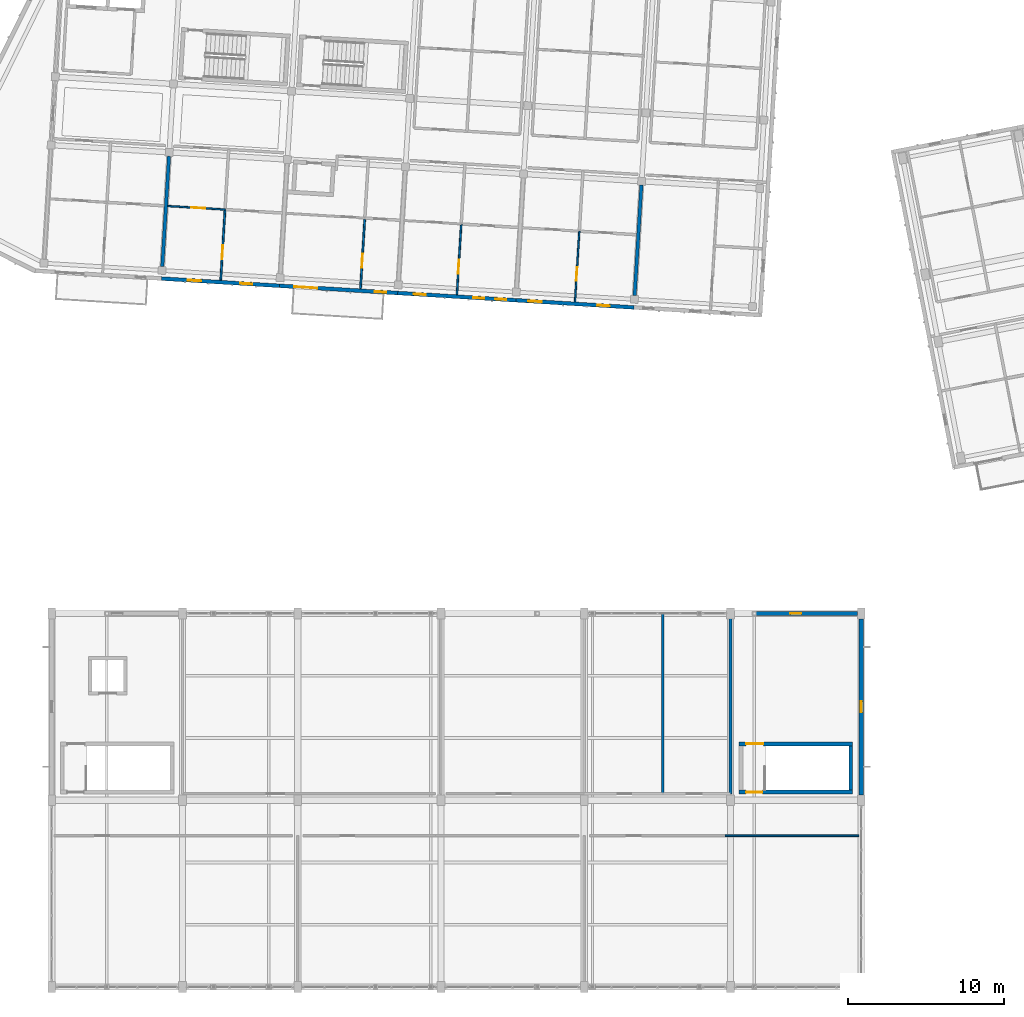
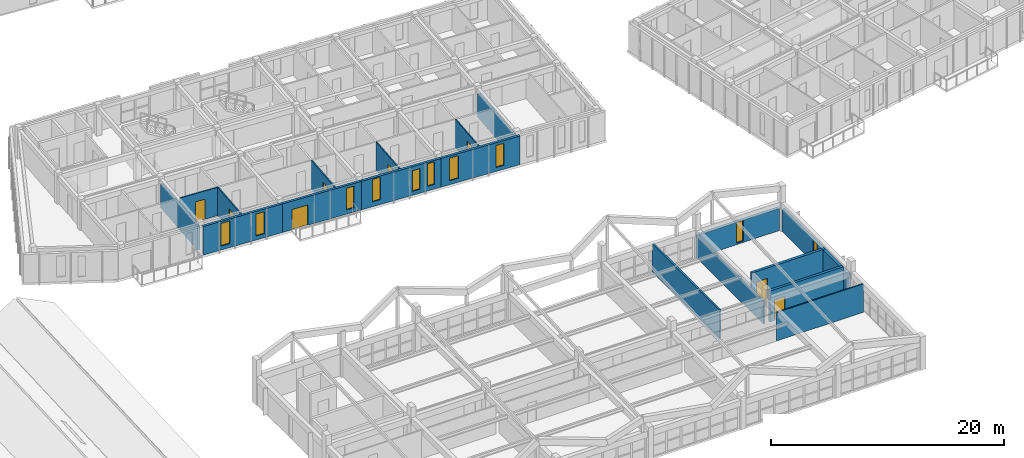
# One storey, part 74 of 127: 19 walls, 10 windows, 8 doors, 18 openings.
"""IFC4 building model written with IfcOpenShell, lengths in metres."""

from ifc_helpers import new_model, si_unit, direction, frame, frame_2d, origin, place, context, subcontext, project, spatial, rectangle, extrude, material, layer, layer_set, type_object, element, fill, save


model = new_model("IFC4")

# Units and contexts
model_context = context("Model", 3, precision=1e-05, world=origin(), true_north=direction((0.0, 1.0)))
body_context = subcontext(model_context, "Body", "Model", "MODEL_VIEW")
ifc_project = project(units=[si_unit("LENGTHUNIT", "METRE"), si_unit("AREAUNIT", "SQUARE_METRE"), si_unit("VOLUMEUNIT", "CUBIC_METRE"), si_unit("PLANEANGLEUNIT", "RADIAN"), si_unit("MASSUNIT", "GRAM", prefix="KILO")], contexts=[model_context])

# Site, building, storey
site_placement = place(None, origin())
site = spatial("IfcSite", under=ifc_project, at=site_placement, CompositionType="ELEMENT")
building_placement = place(site_placement, origin())
building = spatial("IfcBuilding", under=site, at=building_placement, Name="Kestramere Prow Commons", CompositionType="ELEMENT")
storey_placement = place(building_placement, frame((0.0, 0.0, 8.39990234375)))
storey = spatial("IfcBuildingStorey", under=building, at=storey_placement, Name="L02", CompositionType="ELEMENT", Elevation=8.39990234375)

# Wall, opening, window
ifc_material_1 = material(Name="Precast concrete C40/50", Category="concrete")
ifc_layer_1 = layer(ifc_material_1, 0.280029296875)
ifc_layer_set_1 = layer_set([ifc_layer_1], Name="Precast concrete C40/50")
wall_type_1 = type_object("IfcWallType", Name="EW-CIVIC-280", PredefinedType="SOLIDWALL", material=ifc_layer_set_1)
wall_1_placement = place(storey_placement, frame((103.85009765625, 24.0, 0.0), z_axis=(0.0, 0.0, 1.0), x_axis=(1.0, 0.0, 0.0)))
wall_1 = element("IfcWall", 1, at=wall_1_placement, inside=storey, type_object=wall_type_1, Name="Market L02 Core Wall 6", PredefinedType="SOLIDWALL", context=body_context, shape_type="SweptSolid", body=[
    extrude(rectangle(XDim=7.89990234375, YDim=0.280029296875, at=frame_2d((3.949951171875, 0.0))), origin(), (0.0, 0.0, 1.0), 2.340087890625),
])
opening_1_placement = place(wall_1_placement, frame((3.60009765625, 0.0, 0.159912109375)))
opening_1 = element("IfcOpeningElement", 2, at=opening_1_placement, cuts=wall_1, Name="Opening WN-16", PredefinedType="OPENING", context=body_context, shape_type="SweptSolid", body=[
    extrude(rectangle(XDim=0.699951171875, YDim=2.139892578125, at=frame_2d((0.35009765625, 1.06982421875))), frame((0.0, 0.155029296875, 0.0), z_axis=(0.0, -1.0, 0.0), x_axis=(1.0, 0.0, 0.0)), (0.0, 0.0, 1.0), 0.31005859375),
])
ifc_material_2 = material(Name="Low-E Laminated Double Glazing", Category="glass")
window_type_1 = type_object("IfcWindowType", Name="WN-CIV-700", PartitioningType="SINGLE_PANEL", PredefinedType="WINDOW", material=ifc_material_2)
window_1_placement = place(opening_1_placement, origin())
window_1 = element("IfcWindow", 3, at=window_1_placement, inside=storey, type_object=window_type_1, Name="WN-MK-L02-N-5", OverallHeight=2.139892578125, OverallWidth=0.699951171875, PartitioningType="SINGLE_PANEL", PredefinedType="WINDOW", context=body_context, shape_type="SweptSolid", body=[
    extrude(rectangle(XDim=0.699951171875, YDim=2.139892578125, at=frame_2d((0.35009765625, 1.06982421875))), frame((0.0, 0.030029296875, 0.0), z_axis=(0.0, -1.0, 0.0), x_axis=(1.0, 0.0, 0.0)), (0.0, 0.0, 1.0), 0.06005859375),
])
fill(opening_1, window_1)

wall_2_placement = place(storey_placement, frame((112.0, 23.64990234375, 0.0), z_axis=(0.0, 0.0, 1.0), x_axis=(0.0, -1.0, 0.0)))
wall_2 = element("IfcWall", 4, at=wall_2_placement, inside=storey, type_object=wall_type_1, Name="Market L02 E End Wall 2", PredefinedType="SOLIDWALL", context=body_context, shape_type="SweptSolid", body=[
    extrude(rectangle(XDim=11.2998046875, YDim=0.280029296875, at=frame_2d((5.64990234375, 0.0))), origin(), (0.0, 0.0, 1.0), 2.340087890625),
])
opening_2_placement = place(wall_2_placement, frame((5.300048828125, 0.0, 0.159912109375)))
opening_2 = element("IfcOpeningElement", 5, at=opening_2_placement, cuts=wall_2, Name="Opening WN-16", PredefinedType="OPENING", context=body_context, shape_type="SweptSolid", body=[
    extrude(rectangle(XDim=0.699951171875, YDim=2.139892578125, at=frame_2d((0.35009765625, 1.06982421875))), frame((0.0, 0.155029296875, 0.0), z_axis=(0.0, -1.0, 0.0), x_axis=(1.0, 0.0, 0.0)), (0.0, 0.0, 1.0), 0.31005859375),
])
window_2_placement = place(opening_2_placement, origin())
window_2 = element("IfcWindow", 6, at=window_2_placement, inside=storey, type_object=window_type_1, Name="WN-MK-L02-E-1", OverallHeight=2.139892578125, OverallWidth=0.699951171875, PartitioningType="SINGLE_PANEL", PredefinedType="WINDOW", context=body_context, shape_type="SweptSolid", body=[
    extrude(rectangle(XDim=0.699951171875, YDim=2.139892578125, at=frame_2d((0.35009765625, 1.06982421875))), frame((0.0, 0.030029296875, 0.0), z_axis=(0.0, -1.0, 0.0), x_axis=(1.0, 0.0, 0.0)), (0.0, 0.0, 1.0), 0.06005859375),
])
fill(opening_2, window_2)

# Wall, openings, windows
ifc_material_3 = material(Name="Fluoropolymer Standing-Seam Zinc-Aluminium Cladding", Category="aluminium")
ifc_layer_2 = layer(ifc_material_3, 0.239990234375)
ifc_layer_set_2 = layer_set([ifc_layer_2], Name="Fluoropolymer Standing-Seam Zinc-Aluminium Cladding")
wall_type_2 = type_object("IfcWallType", Name="EW-SEAM-240", PredefinedType="SOLIDWALL", material=ifc_layer_set_2)
wall_3_placement = place(storey_placement, frame((74.6396484375, 45.048095703125, 0.0), z_axis=(0.0, 0.0, 1.0), x_axis=(-0.998135669243, 0.061034300063, 0.0)))
wall_3 = element("IfcWall", 7, at=wall_3_placement, inside=storey, type_object=wall_type_2, Name="Block C L02 South Standing-Seam Wall 2", PredefinedType="SOLIDWALL", context=body_context, shape_type="SweptSolid", body=[
    extrude(rectangle(XDim=7.60009765625, YDim=0.239990234375, at=frame_2d((3.800048828125, 0.0))), origin(), (0.0, 0.0, 1.0), 3.0),
])
opening_3_placement = place(wall_3_placement, frame((1.748779296875, 0.0, 0.419921875)))
opening_3 = element("IfcOpeningElement", 8, at=opening_3_placement, cuts=wall_3, Name="Opening WN-12", PredefinedType="OPENING", context=body_context, shape_type="SweptSolid", body=[
    extrude(rectangle(XDim=0.800048828125, YDim=2.300048828125, at=frame_2d((0.39990234375, 1.14990234375))), frame((0.0, 0.135009765625, 0.0), z_axis=(0.0, -1.0, 0.0), x_axis=(1.0, 0.0, 0.0)), (0.0, 0.0, 1.0), 0.27001953125),
])
opening_4_placement = place(wall_3_placement, frame((5.040283203125, 0.0, 0.419921875)))
opening_4 = element("IfcOpeningElement", 9, at=opening_4_placement, cuts=wall_3, Name="Opening WN-15", PredefinedType="OPENING", context=body_context, shape_type="SweptSolid", body=[
    extrude(rectangle(XDim=0.860107421875, YDim=2.360107421875, at=frame_2d((0.43017578125, 1.18017578125))), frame((0.0, 0.135009765625, 0.0), z_axis=(0.0, -1.0, 0.0), x_axis=(1.0, 0.0, 0.0)), (0.0, 0.0, 1.0), 0.27001953125),
])
window_type_2 = type_object("IfcWindowType", Name="WN-NAR-800A", PartitioningType="SINGLE_PANEL", PredefinedType="WINDOW", material=ifc_material_2)
window_3_placement = place(opening_3_placement, origin())
window_3 = element("IfcWindow", 10, at=window_3_placement, inside=storey, type_object=window_type_2, Name="WN-C-L02-S-1-00", OverallHeight=2.300048828125, OverallWidth=0.800048828125, PartitioningType="SINGLE_PANEL", PredefinedType="WINDOW", context=body_context, shape_type="SweptSolid", body=[
    extrude(rectangle(XDim=0.800048828125, YDim=2.300048828125, at=frame_2d((0.39990234375, 1.14990234375))), frame((0.0, 0.030029296875, 0.0), z_axis=(0.0, -1.0, 0.0), x_axis=(1.0, 0.0, 0.0)), (0.0, 0.0, 1.0), 0.06005859375),
])
fill(opening_3, window_3)
window_type_3 = type_object("IfcWindowType", Name="WN-NAR-860A", PartitioningType="DOUBLE_PANEL_VERTICAL", PredefinedType="WINDOW", material=ifc_material_2)
window_4_placement = place(opening_4_placement, origin())
window_4 = element("IfcWindow", 11, at=window_4_placement, inside=storey, type_object=window_type_3, Name="WN-C-L02-S-1-10", OverallHeight=2.360107421875, OverallWidth=0.860107421875, PartitioningType="SINGLE_PANEL", PredefinedType="WINDOW", context=body_context, shape_type="SweptSolid", body=[
    extrude(rectangle(XDim=0.860107421875, YDim=2.360107421875, at=frame_2d((0.43017578125, 1.18017578125))), frame((0.0, 0.030029296875, 0.0), z_axis=(0.0, -1.0, 0.0), x_axis=(1.0, 0.0, 0.0)), (0.0, 0.0, 1.0), 0.06005859375),
])
fill(opening_4, window_4)

# Wall, openings, door, window
wall_4_placement = place(storey_placement, frame((82.225341796875, 44.583984375, 0.0), z_axis=(0.0, 0.0, 1.0), x_axis=(-0.998133591969, 0.061068261669, 0.0)))
wall_4 = element("IfcWall", 12, at=wall_4_placement, inside=storey, type_object=wall_type_2, Name="Block C L02 South Standing-Seam Wall 3", PredefinedType="SOLIDWALL", context=body_context, shape_type="SweptSolid", body=[
    extrude(rectangle(XDim=7.599853515625, YDim=0.239990234375, at=frame_2d((3.7998046875, 0.0))), origin(), (0.0, 0.0, 1.0), 3.0),
])
opening_5_placement = place(wall_4_placement, frame((5.1689453125, 0.0, 0.0)))
opening_5 = element("IfcOpeningElement", 13, at=opening_5_placement, cuts=wall_4, Name="Opening GD-BAL-01", PredefinedType="OPENING", context=body_context, shape_type="SweptSolid", body=[
    extrude(rectangle(XDim=1.5, YDim=2.1201171875, at=frame_2d((0.75, 1.06005859375))), frame((0.0, 0.135009765625, 0.0), z_axis=(0.0, -1.0, 0.0), x_axis=(1.0, 0.0, 0.0)), (0.0, 0.0, 1.0), 0.27001953125),
])
opening_6_placement = place(wall_4_placement, frame((0.72998046875, 0.0, 0.4599609375)))
opening_6 = element("IfcOpeningElement", 14, at=opening_6_placement, cuts=wall_4, Name="Opening WN-09", PredefinedType="OPENING", context=body_context, shape_type="SweptSolid", body=[
    extrude(rectangle(XDim=0.739990234375, YDim=2.260009765625, at=frame_2d((0.3701171875, 1.1298828125))), frame((0.0, 0.135009765625, 0.0), z_axis=(0.0, -1.0, 0.0), x_axis=(1.0, 0.0, 0.0)), (0.0, 0.0, 1.0), 0.27001953125),
])
ifc_material_4 = material(Name="Thermally-Broken Anodised Aluminium Glazed", Category="aluminium")
door_type_1 = type_object("IfcDoorType", Name="GD-BAL-1500", OperationType="SLIDING_TO_RIGHT", PredefinedType="DOOR", material=ifc_material_4)
door_1_placement = place(opening_5_placement, origin())
door_1 = element("IfcDoor", 15, at=door_1_placement, inside=storey, type_object=door_type_1, Name="Block C L02 Balcony Door 3", OperationType="SLIDING_TO_RIGHT", OverallHeight=2.1201171875, OverallWidth=1.5, PredefinedType="DOOR", context=body_context, shape_type="SweptSolid", body=[
    extrude(rectangle(XDim=1.5, YDim=2.1201171875, at=frame_2d((0.75, 1.06005859375))), frame((0.0, 0.02490234375, 0.0), z_axis=(0.0, -1.0, 0.0), x_axis=(1.0, 0.0, 0.0)), (0.0, 0.0, 1.0), 0.050048828125),
])
fill(opening_5, door_1)
window_type_4 = type_object("IfcWindowType", Name="WN-NAR-740A", PartitioningType="SINGLE_PANEL", PredefinedType="WINDOW", material=ifc_material_2)
window_5_placement = place(opening_6_placement, origin())
window_5 = element("IfcWindow", 16, at=window_5_placement, inside=storey, type_object=window_type_4, Name="WN-C-L02-SR-2", OverallHeight=2.260009765625, OverallWidth=0.739990234375, PartitioningType="SINGLE_PANEL", PredefinedType="WINDOW", context=body_context, shape_type="SweptSolid", body=[
    extrude(rectangle(XDim=0.739990234375, YDim=2.260009765625, at=frame_2d((0.3701171875, 1.1298828125))), frame((0.0, 0.030029296875, 0.0), z_axis=(0.0, -1.0, 0.0), x_axis=(1.0, 0.0, 0.0)), (0.0, 0.0, 1.0), 0.06005859375),
])
fill(opening_6, window_5)

# Wall, openings, windows
wall_5_placement = place(storey_placement, frame((89.811279296875, 44.1201171875, 0.0), z_axis=(0.0, 0.0, 1.0), x_axis=(-0.998135669243, 0.061034300063, 0.0)))
wall_5 = element("IfcWall", 17, at=wall_5_placement, inside=storey, type_object=wall_type_2, Name="Block C L02 South Standing-Seam Wall 4", PredefinedType="SOLIDWALL", context=body_context, shape_type="SweptSolid", body=[
    extrude(rectangle(XDim=7.60009765625, YDim=0.239990234375, at=frame_2d((3.800048828125, 0.0))), origin(), (0.0, 0.0, 1.0), 3.0),
])
opening_7_placement = place(wall_5_placement, frame((0.610107421875, 0.0, 0.5)))
opening_7 = element("IfcOpeningElement", 18, at=opening_7_placement, cuts=wall_5, Name="Opening WN-07", PredefinedType="OPENING", context=body_context, shape_type="SweptSolid", body=[
    extrude(rectangle(XDim=0.699951171875, YDim=2.360107421875, at=frame_2d((0.35009765625, 1.18017578125))), frame((0.0, 0.135009765625, 0.0), z_axis=(0.0, -1.0, 0.0), x_axis=(1.0, 0.0, 0.0)), (0.0, 0.0, 1.0), 0.27001953125),
])
opening_8_placement = place(wall_5_placement, frame((2.031982421875, 0.0, 0.419921875)))
opening_8 = element("IfcOpeningElement", 19, at=opening_8_placement, cuts=wall_5, Name="Opening WN-08", PredefinedType="OPENING", context=body_context, shape_type="SweptSolid", body=[
    extrude(rectangle(XDim=0.719970703125, YDim=2.159912109375, at=frame_2d((0.35986328125, 1.080078125))), frame((0.0, 0.135009765625, 0.0), z_axis=(0.0, -1.0, 0.0), x_axis=(1.0, 0.0, 0.0)), (0.0, 0.0, 1.0), 0.27001953125),
])
opening_9_placement = place(wall_5_placement, frame((5.809326171875, 0.0, 0.52001953125)))
opening_9 = element("IfcOpeningElement", 20, at=opening_9_placement, cuts=wall_5, Name="Opening WN-10", PredefinedType="OPENING", context=body_context, shape_type="SweptSolid", body=[
    extrude(rectangle(XDim=0.760009765625, YDim=2.340087890625, at=frame_2d((0.3798828125, 1.169921875))), frame((0.0, 0.135009765625, 0.0), z_axis=(0.0, -1.0, 0.0), x_axis=(1.0, 0.0, 0.0)), (0.0, 0.0, 1.0), 0.27001953125),
])
window_type_5 = type_object("IfcWindowType", Name="WN-NAR-700A", PartitioningType="SINGLE_PANEL", PredefinedType="WINDOW", material=ifc_material_2)
window_6_placement = place(opening_7_placement, origin())
window_6 = element("IfcWindow", 21, at=window_6_placement, inside=storey, type_object=window_type_5, Name="WN-C-L02-S-3-00", OverallHeight=2.360107421875, OverallWidth=0.699951171875, PartitioningType="SINGLE_PANEL", PredefinedType="WINDOW", context=body_context, shape_type="SweptSolid", body=[
    extrude(rectangle(XDim=0.699951171875, YDim=2.360107421875, at=frame_2d((0.35009765625, 1.18017578125))), frame((0.0, 0.030029296875, 0.0), z_axis=(0.0, -1.0, 0.0), x_axis=(1.0, 0.0, 0.0)), (0.0, 0.0, 1.0), 0.06005859375),
])
fill(opening_7, window_6)
window_type_6 = type_object("IfcWindowType", Name="WN-NAR-720A", PartitioningType="SINGLE_PANEL", PredefinedType="WINDOW", material=ifc_material_2)
window_7_placement = place(opening_8_placement, origin())
window_7 = element("IfcWindow", 22, at=window_7_placement, inside=storey, type_object=window_type_6, Name="WN-C-L02-S-3-01", OverallHeight=2.159912109375, OverallWidth=0.719970703125, PartitioningType="SINGLE_PANEL", PredefinedType="WINDOW", context=body_context, shape_type="SweptSolid", body=[
    extrude(rectangle(XDim=0.719970703125, YDim=2.159912109375, at=frame_2d((0.35986328125, 1.080078125))), frame((0.0, 0.030029296875, 0.0), z_axis=(0.0, -1.0, 0.0), x_axis=(1.0, 0.0, 0.0)), (0.0, 0.0, 1.0), 0.06005859375),
])
fill(opening_8, window_7)
window_type_7 = type_object("IfcWindowType", Name="WN-NAR-760A", PartitioningType="SINGLE_PANEL", PredefinedType="WINDOW", material=ifc_material_2)
window_8_placement = place(opening_9_placement, origin())
window_8 = element("IfcWindow", 23, at=window_8_placement, inside=storey, type_object=window_type_7, Name="WN-C-L02-S-3-10", OverallHeight=2.340087890625, OverallWidth=0.760009765625, PartitioningType="SINGLE_PANEL", PredefinedType="WINDOW", context=body_context, shape_type="SweptSolid", body=[
    extrude(rectangle(XDim=0.760009765625, YDim=2.340087890625, at=frame_2d((0.3798828125, 1.169921875))), frame((0.0, 0.030029296875, 0.0), z_axis=(0.0, -1.0, 0.0), x_axis=(1.0, 0.0, 0.0)), (0.0, 0.0, 1.0), 0.06005859375),
])
fill(opening_9, window_8)

wall_6_placement = place(storey_placement, frame((97.39697265625, 43.65625, 0.0), z_axis=(0.0, 0.0, 1.0), x_axis=(-0.998135549572, 0.061036257095, 0.0)))
wall_6 = element("IfcWall", 24, at=wall_6_placement, inside=storey, type_object=wall_type_2, Name="Block C L02 South Standing-Seam Wall 5", PredefinedType="SOLIDWALL", context=body_context, shape_type="SweptSolid", body=[
    extrude(rectangle(XDim=7.599853515625, YDim=0.239990234375, at=frame_2d((3.7998046875, 0.0))), origin(), (0.0, 0.0, 1.0), 3.0),
])
opening_10_placement = place(wall_6_placement, frame((1.544189453125, 0.0, 0.419921875)))
opening_10 = element("IfcOpeningElement", 25, at=opening_10_placement, cuts=wall_6, Name="Opening WN-12", PredefinedType="OPENING", context=body_context, shape_type="SweptSolid", body=[
    extrude(rectangle(XDim=0.800048828125, YDim=2.300048828125, at=frame_2d((0.39990234375, 1.14990234375))), frame((0.0, 0.135009765625, 0.0), z_axis=(0.0, -1.0, 0.0), x_axis=(1.0, 0.0, 0.0)), (0.0, 0.0, 1.0), 0.27001953125),
])
opening_11_placement = place(wall_6_placement, frame((5.9375, 0.0, 0.419921875)))
opening_11 = element("IfcOpeningElement", 26, at=opening_11_placement, cuts=wall_6, Name="Opening WN-15", PredefinedType="OPENING", context=body_context, shape_type="SweptSolid", body=[
    extrude(rectangle(XDim=0.860107421875, YDim=2.360107421875, at=frame_2d((0.43017578125, 1.18017578125))), frame((0.0, 0.135009765625, 0.0), z_axis=(0.0, -1.0, 0.0), x_axis=(1.0, 0.0, 0.0)), (0.0, 0.0, 1.0), 0.27001953125),
])
window_9_placement = place(opening_10_placement, origin())
window_9 = element("IfcWindow", 27, at=window_9_placement, inside=storey, type_object=window_type_2, Name="WN-C-L02-S-4-00", OverallHeight=2.300048828125, OverallWidth=0.800048828125, PartitioningType="SINGLE_PANEL", PredefinedType="WINDOW", context=body_context, shape_type="SweptSolid", body=[
    extrude(rectangle(XDim=0.800048828125, YDim=2.300048828125, at=frame_2d((0.39990234375, 1.14990234375))), frame((0.0, 0.030029296875, 0.0), z_axis=(0.0, -1.0, 0.0), x_axis=(1.0, 0.0, 0.0)), (0.0, 0.0, 1.0), 0.06005859375),
])
fill(opening_10, window_9)
window_10_placement = place(opening_11_placement, origin())
window_10 = element("IfcWindow", 28, at=window_10_placement, inside=storey, type_object=window_type_3, Name="WN-C-L02-S-4-10", OverallHeight=2.360107421875, OverallWidth=0.860107421875, PartitioningType="SINGLE_PANEL", PredefinedType="WINDOW", context=body_context, shape_type="SweptSolid", body=[
    extrude(rectangle(XDim=0.860107421875, YDim=2.360107421875, at=frame_2d((0.43017578125, 1.18017578125))), frame((0.0, 0.030029296875, 0.0), z_axis=(0.0, -1.0, 0.0), x_axis=(1.0, 0.0, 0.0)), (0.0, 0.0, 1.0), 0.06005859375),
])
fill(opening_11, window_10)

# Wall, opening, door
ifc_material_5 = material(Name="Concrete C40/50", Category="concrete")
ifc_layer_3 = layer(ifc_material_5, 0.25)
ifc_layer_set_3 = layer_set([ifc_layer_3], Name="Concrete C40/50")
wall_type_3 = type_object("IfcWallType", Name="W-CORE-250", PredefinedType="SHEAR", material=ifc_layer_set_3)
wall_7_placement = place(storey_placement, frame((104.14990234375, 12.52490234375, 0.0), z_axis=(0.0, 0.0, 1.0), x_axis=(1.0, 0.0, 0.0)))
wall_7 = element("IfcWall", 29, at=wall_7_placement, inside=storey, type_object=wall_type_3, Name="SW-ST-M2-L02-L", PredefinedType="SHEAR", context=body_context, shape_type="SweptSolid", body=[
    extrude(rectangle(XDim=7.300048828125, YDim=0.25, at=frame_2d((3.64990234375, 0.0))), origin(), (0.0, 0.0, 1.0), 3.25),
])
opening_12_placement = place(wall_7_placement, frame((0.449951171875, 0.0, 0.0)))
opening_12 = element("IfcOpeningElement", 30, at=opening_12_placement, cuts=wall_7, Name="Opening ID-01", PredefinedType="OPENING", context=body_context, shape_type="SweptSolid", body=[
    extrude(rectangle(XDim=1.050048828125, YDim=2.14990234375, at=frame_2d((0.52490234375, 1.074951171875))), frame((0.0, 0.139892578125, 0.0), z_axis=(0.0, -1.0, 0.0), x_axis=(1.0, 0.0, 0.0)), (0.0, 0.0, 1.0), 0.280029296875),
])
ifc_material_6 = material(Name="Fire-Rated Timber and Steel Frame", Category="steel")
door_type_2 = type_object("IfcDoorType", Name="FD-ST-01", OperationType="NOTDEFINED", PredefinedType="DOOR", material=ifc_material_6)
door_2_placement = place(opening_12_placement, origin())
door_2 = element("IfcDoor", 31, at=door_2_placement, inside=storey, type_object=door_type_2, Name="ST-M2 L02 Protected Stair Door", OperationType="SINGLE_SWING_RIGHT", OverallHeight=2.14990234375, OverallWidth=1.050048828125, PredefinedType="DOOR", context=body_context, shape_type="SweptSolid", body=[
    extrude(rectangle(XDim=1.050048828125, YDim=2.14990234375, at=frame_2d((0.52490234375, 1.074951171875))), frame((0.0, 0.02490234375, 0.0), z_axis=(0.0, -1.0, 0.0), x_axis=(1.0, 0.0, 0.0)), (0.0, 0.0, 1.0), 0.050048828125),
])
fill(opening_12, door_2)

wall_8_placement = place(storey_placement, frame((104.14990234375, 15.625, 0.0), z_axis=(0.0, 0.0, 1.0), x_axis=(1.0, 0.0, 0.0)))
wall_8 = element("IfcWall", 32, at=wall_8_placement, inside=storey, type_object=wall_type_3, Name="SW-ST-M2-L02-R", PredefinedType="SHEAR", context=body_context, shape_type="SweptSolid", body=[
    extrude(rectangle(XDim=7.300048828125, YDim=0.25, at=frame_2d((3.64990234375, 0.0))), origin(), (0.0, 0.0, 1.0), 3.25),
])
opening_13_placement = place(wall_8_placement, frame((0.449951171875, 0.0, 0.0)))
opening_13 = element("IfcOpeningElement", 33, at=opening_13_placement, cuts=wall_8, Name="Opening ID-02", PredefinedType="OPENING", context=body_context, shape_type="SweptSolid", body=[
    extrude(rectangle(XDim=1.1201171875, YDim=2.14990234375, at=frame_2d((0.56005859375, 1.074951171875))), frame((0.0, 0.139892578125, 0.0), z_axis=(0.0, -1.0, 0.0), x_axis=(1.0, 0.0, 0.0)), (0.0, 0.0, 1.0), 0.280029296875),
])
door_type_3 = type_object("IfcDoorType", Name="FD-ST-02", OperationType="NOTDEFINED", PredefinedType="DOOR", material=ifc_material_6)
door_3_placement = place(opening_13_placement, origin())
door_3 = element("IfcDoor", 34, at=door_3_placement, inside=storey, type_object=door_type_3, Name="ST-M2 L02 Lobby/Exit Stair Door", OperationType="SINGLE_SWING_RIGHT", OverallHeight=2.14990234375, OverallWidth=1.1201171875, PredefinedType="DOOR", context=body_context, shape_type="SweptSolid", body=[
    extrude(rectangle(XDim=1.1201171875, YDim=2.14990234375, at=frame_2d((0.56005859375, 1.074951171875))), frame((0.0, 0.02490234375, 0.0), z_axis=(0.0, -1.0, 0.0), x_axis=(1.0, 0.0, 0.0)), (0.0, 0.0, 1.0), 0.050048828125),
])
fill(opening_13, door_3)

# Wall
wall_9_placement = place(storey_placement, frame((111.324951171875, 12.64990234375, 0.0), z_axis=(0.0, 0.0, 1.0), x_axis=(0.0, 1.0, 0.0)))
element("IfcWall", 35, at=wall_9_placement, inside=storey, type_object=wall_type_3, Name="SW-ST-M2-L02-F", PredefinedType="SHEAR", context=body_context, shape_type="SweptSolid", body=[
    extrude(rectangle(XDim=2.85009765625, YDim=0.25, at=frame_2d((1.425048828125, 0.0))), origin(), (0.0, 0.0, 1.0), 3.25),
])

# Wall, opening, door
ifc_material_7 = material(Name="Gypsum Acoustic Drywall")
ifc_layer_4 = layer(ifc_material_7, 0.10009765625)
ifc_layer_set_4 = layer_set([ifc_layer_4], Name="Gypsum Acoustic Drywall")
wall_type_4 = type_object("IfcWallType", Name="W-PART-100", PredefinedType="PARTITIONING", material=ifc_layer_set_4)
wall_10_placement = place(storey_placement, frame((67.453857421875, 50.17138671875, 0.0), z_axis=(0.0, 0.0, 1.0), x_axis=(0.998132682596, -0.061083123148, 0.0)))
wall_10 = element("IfcWall", 36, at=wall_10_placement, inside=storey, type_object=wall_type_4, Name="Interior Partition PW-C-L02-MIDS1-1", PredefinedType="PARTITIONING", context=body_context, shape_type="SweptSolid", body=[
    extrude(rectangle(XDim=3.68505859375, YDim=0.10009765625, at=frame_2d((1.842529296875, 0.0))), origin(), (0.0, 0.0, 1.0), 2.97021484375),
])
opening_14_placement = place(wall_10_placement, frame((1.52490234375, 0.0, 0.0)))
opening_14 = element("IfcOpeningElement", 37, at=opening_14_placement, cuts=wall_10, Name="Opening ID-10", PredefinedType="OPENING", context=body_context, shape_type="SweptSolid", body=[
    extrude(rectangle(XDim=0.8798828125, YDim=2.10009765625, at=frame_2d((0.43994140625, 1.050048828125))), frame((0.0, 0.06494140625, 0.0), z_axis=(0.0, -1.0, 0.0), x_axis=(1.0, 0.0, 0.0)), (0.0, 0.0, 1.0), 0.130126953125),
])
ifc_material_8 = material(Name="Engineered Timber Bedroom Door", Category="wood")
door_type_4 = type_object("IfcDoorType", Name="D-RM-03", OperationType="NOTDEFINED", PredefinedType="DOOR", material=ifc_material_8)
door_4_placement = place(opening_14_placement, origin())
door_4 = element("IfcDoor", 38, at=door_4_placement, inside=storey, type_object=door_type_4, Name="Interior Door DR-C-L02-KL-S1", OperationType="SINGLE_SWING_RIGHT", OverallHeight=2.10009765625, OverallWidth=0.8798828125, PredefinedType="DOOR", context=body_context, shape_type="SweptSolid", body=[
    extrude(rectangle(XDim=0.8798828125, YDim=2.10009765625, at=frame_2d((0.43994140625, 1.050048828125))), frame((0.0, 0.02490234375, 0.0), z_axis=(0.0, -1.0, 0.0), x_axis=(1.0, 0.0, 0.0)), (0.0, 0.0, 1.0), 0.050048828125),
])
fill(opening_14, door_4)

wall_11_placement = place(storey_placement, frame((93.6123046875, 44.02294921875, 0.0), z_axis=(0.0, 0.0, 1.0), x_axis=(0.061089289302, 0.998132305224, 0.0)))
wall_11 = element("IfcWall", 39, at=wall_11_placement, inside=storey, type_object=wall_type_4, Name="Interior Partition PW-C-L02-LB-S4", PredefinedType="PARTITIONING", context=body_context, shape_type="SweptSolid", body=[
    extrude(rectangle(XDim=4.5400390625, YDim=0.10009765625, at=frame_2d((2.27001953125, 0.0))), origin(), (0.0, 0.0, 1.0), 2.97021484375),
])
opening_15_placement = place(wall_11_placement, frame((1.35009765625, 0.0, 0.0)))
opening_15 = element("IfcOpeningElement", 40, at=opening_15_placement, cuts=wall_11, Name="Opening ID-10", PredefinedType="OPENING", context=body_context, shape_type="SweptSolid", body=[
    extrude(rectangle(XDim=0.8798828125, YDim=2.10009765625, at=frame_2d((0.43994140625, 1.050048828125))), frame((0.0, 0.06494140625, 0.0), z_axis=(0.0, -1.0, 0.0), x_axis=(1.0, 0.0, 0.0)), (0.0, 0.0, 1.0), 0.130126953125),
])
door_5_placement = place(opening_15_placement, origin())
door_5 = element("IfcDoor", 41, at=door_5_placement, inside=storey, type_object=door_type_4, Name="Interior Door DR-C-L02-BED-S4", OperationType="SINGLE_SWING_LEFT", OverallHeight=2.10009765625, OverallWidth=0.8798828125, PredefinedType="DOOR", context=body_context, shape_type="SweptSolid", body=[
    extrude(rectangle(XDim=0.8798828125, YDim=2.10009765625, at=frame_2d((0.43994140625, 1.050048828125))), frame((0.0, 0.02490234375, 0.0), z_axis=(0.0, -1.0, 0.0), x_axis=(1.0, 0.0, 0.0)), (0.0, 0.0, 1.0), 0.050048828125),
])
fill(opening_15, door_5)

ifc_layer_5 = layer(ifc_material_7, 0.110107421875)
ifc_layer_set_5 = layer_set([ifc_layer_5], Name="Gypsum Acoustic Drywall")
wall_type_5 = type_object("IfcWallType", Name="W-PART-110", PredefinedType="PARTITIONING", material=ifc_layer_set_5)
wall_12_placement = place(storey_placement, frame((86.026611328125, 44.48681640625, 0.0), z_axis=(0.0, 0.0, 1.0), x_axis=(0.061035713941, 0.998135582786, 0.0)))
wall_12 = element("IfcWall", 42, at=wall_12_placement, inside=storey, type_object=wall_type_5, Name="Interior Partition PW-C-L02-LB-S3", PredefinedType="PARTITIONING", context=body_context, shape_type="SweptSolid", body=[
    extrude(rectangle(XDim=4.5400390625, YDim=0.110107421875, at=frame_2d((2.27001953125, 0.0))), origin(), (0.0, 0.0, 1.0), 2.97021484375),
])
opening_16_placement = place(wall_12_placement, frame((1.35009765625, 0.0, 0.0)))
opening_16 = element("IfcOpeningElement", 43, at=opening_16_placement, cuts=wall_12, Name="Opening ID-08", PredefinedType="OPENING", context=body_context, shape_type="SweptSolid", body=[
    extrude(rectangle(XDim=0.89990234375, YDim=2.10009765625, at=frame_2d((0.449951171875, 1.050048828125))), frame((0.0, 0.070068359375, 0.0), z_axis=(0.0, -1.0, 0.0), x_axis=(1.0, 0.0, 0.0)), (0.0, 0.0, 1.0), 0.14013671875),
])
ifc_material_9 = material(Name="Engineered Timber Flush Door", Category="wood")
door_type_5 = type_object("IfcDoorType", Name="D-RM-01", OperationType="NOTDEFINED", PredefinedType="DOOR", material=ifc_material_9)
door_6_placement = place(opening_16_placement, origin())
door_6 = element("IfcDoor", 44, at=door_6_placement, inside=storey, type_object=door_type_5, Name="Interior Door DR-C-L02-BED-S3", OperationType="SINGLE_SWING_RIGHT", OverallHeight=2.10009765625, OverallWidth=0.89990234375, PredefinedType="DOOR", context=body_context, shape_type="SweptSolid", body=[
    extrude(rectangle(XDim=0.89990234375, YDim=2.10009765625, at=frame_2d((0.449951171875, 1.050048828125))), frame((0.0, 0.02490234375, 0.0), z_axis=(0.0, -1.0, 0.0), x_axis=(1.0, 0.0, 0.0)), (0.0, 0.0, 1.0), 0.050048828125),
])
fill(opening_16, door_6)

# Wall
ifc_material_10 = material(Name="Lightweight Blockwork and Plaster", Category="masonry")
ifc_layer_6 = layer(ifc_material_10, 0.1201171875)
ifc_layer_set_6 = layer_set([ifc_layer_6], Name="Lightweight Blockwork and Plaster")
wall_type_6 = type_object("IfcWallType", Name="W-PART-120", PredefinedType="PARTITIONING", material=ifc_layer_set_6)
wall_13_placement = place(storey_placement, frame((103.25, 9.719970703125, 0.0), z_axis=(0.0, 0.0, 1.0), x_axis=(1.0, 0.0, 0.0)))
element("IfcWall", 45, at=wall_13_placement, inside=storey, type_object=wall_type_6, Name="Interior Partition PW-MK-L02-CS-5", PredefinedType="PARTITIONING", context=body_context, shape_type="SweptSolid", body=[
    extrude(rectangle(XDim=8.60009765625, YDim=0.1201171875, at=frame_2d((4.300048828125, 0.0))), origin(), (0.0, 0.0, 1.0), 2.97998046875),
])

# Wall, opening, door
wall_14_placement = place(storey_placement, frame((70.85498046875, 45.414794921875, 0.0), z_axis=(0.0, 0.0, 1.0), x_axis=(0.061035713941, 0.998135582786, 0.0)))
wall_14 = element("IfcWall", 46, at=wall_14_placement, inside=storey, type_object=wall_type_6, Name="Interior Partition PW-C-L02-LB-S1", PredefinedType="PARTITIONING", context=body_context, shape_type="SweptSolid", body=[
    extrude(rectangle(XDim=4.5400390625, YDim=0.1201171875, at=frame_2d((2.27001953125, 0.0))), origin(), (0.0, 0.0, 1.0), 2.97021484375),
])
opening_17_placement = place(wall_14_placement, frame((1.35009765625, 0.0, 0.0)))
opening_17 = element("IfcOpeningElement", 47, at=opening_17_placement, cuts=wall_14, Name="Opening ID-08", PredefinedType="OPENING", context=body_context, shape_type="SweptSolid", body=[
    extrude(rectangle(XDim=0.89990234375, YDim=2.10009765625, at=frame_2d((0.449951171875, 1.050048828125))), frame((0.0, 0.074951171875, 0.0), z_axis=(0.0, -1.0, 0.0), x_axis=(1.0, 0.0, 0.0)), (0.0, 0.0, 1.0), 0.150146484375),
])
door_7_placement = place(opening_17_placement, origin())
door_7 = element("IfcDoor", 48, at=door_7_placement, inside=storey, type_object=door_type_5, Name="Interior Door DR-C-L02-BED-S1", OperationType="SINGLE_SWING_RIGHT", OverallHeight=2.10009765625, OverallWidth=0.89990234375, PredefinedType="DOOR", context=body_context, shape_type="SweptSolid", body=[
    extrude(rectangle(XDim=0.89990234375, YDim=2.10009765625, at=frame_2d((0.449951171875, 1.050048828125))), frame((0.0, 0.02490234375, 0.0), z_axis=(0.0, -1.0, 0.0), x_axis=(1.0, 0.0, 0.0)), (0.0, 0.0, 1.0), 0.050048828125),
])
fill(opening_17, door_7)

wall_15_placement = place(storey_placement, frame((79.833251953125, 44.86572265625, 0.0), z_axis=(0.0, 0.0, 1.0), x_axis=(0.061035713941, 0.998135582786, 0.0)))
wall_15 = element("IfcWall", 49, at=wall_15_placement, inside=storey, type_object=wall_type_6, Name="Interior Partition PW-C-L02-LB-S2", PredefinedType="PARTITIONING", context=body_context, shape_type="SweptSolid", body=[
    extrude(rectangle(XDim=4.5400390625, YDim=0.1201171875, at=frame_2d((2.27001953125, 0.0))), origin(), (0.0, 0.0, 1.0), 2.97021484375),
])
opening_18_placement = place(wall_15_placement, frame((1.35009765625, 0.0, 0.0)))
opening_18 = element("IfcOpeningElement", 50, at=opening_18_placement, cuts=wall_15, Name="Opening ID-08", PredefinedType="OPENING", context=body_context, shape_type="SweptSolid", body=[
    extrude(rectangle(XDim=0.89990234375, YDim=2.10009765625, at=frame_2d((0.449951171875, 1.050048828125))), frame((0.0, 0.074951171875, 0.0), z_axis=(0.0, -1.0, 0.0), x_axis=(1.0, 0.0, 0.0)), (0.0, 0.0, 1.0), 0.150146484375),
])
door_8_placement = place(opening_18_placement, origin())
door_8 = element("IfcDoor", 51, at=door_8_placement, inside=storey, type_object=door_type_5, Name="Interior Door DR-C-L02-BED-S2", OperationType="SINGLE_SWING_LEFT", OverallHeight=2.10009765625, OverallWidth=0.89990234375, PredefinedType="DOOR", context=body_context, shape_type="SweptSolid", body=[
    extrude(rectangle(XDim=0.89990234375, YDim=2.10009765625, at=frame_2d((0.449951171875, 1.050048828125))), frame((0.0, 0.02490234375, 0.0), z_axis=(0.0, -1.0, 0.0), x_axis=(1.0, 0.0, 0.0)), (0.0, 0.0, 1.0), 0.050048828125),
])
fill(opening_18, door_8)

# Walls
ifc_material_11 = material(Name="Waterproof Sanitary Masonry Wall", Category="masonry")
ifc_layer_7 = layer(ifc_material_11, 0.1650390625)
ifc_layer_set_7 = layer_set([ifc_layer_7], Name="Waterproof Sanitary Masonry Wall")
wall_type_7 = type_object("IfcWallType", Name="W-PLUMB-150", PredefinedType="PLUMBINGWALL", material=ifc_layer_set_7)
wall_16_placement = place(storey_placement, frame((99.25, 12.419921875, 0.0), z_axis=(0.0, 0.0, 1.0), x_axis=(0.0, 1.0, 0.0)))
element("IfcWall", 52, at=wall_16_placement, inside=storey, type_object=wall_type_7, Name="Interior Partition PW-MK-L02-DN-392", PredefinedType="PLUMBINGWALL", context=body_context, shape_type="SweptSolid", body=[
    extrude(rectangle(XDim=11.5400390625, YDim=0.1650390625, at=frame_2d((5.77001953125, 0.0))), origin(), (0.0, 0.0, 1.0), 2.97998046875),
])
wall_17_placement = place(storey_placement, frame((103.60009765625, 12.419921875, 0.0), z_axis=(0.0, 0.0, 1.0), x_axis=(0.0, 1.0, 0.0)))
element("IfcWall", 53, at=wall_17_placement, inside=storey, type_object=wall_type_7, Name="Interior Partition PW-MK-L02-DN-436", PredefinedType="PLUMBINGWALL", context=body_context, shape_type="SweptSolid", body=[
    extrude(rectangle(XDim=11.5400390625, YDim=0.1650390625, at=frame_2d((5.77001953125, 0.0))), origin(), (0.0, 0.0, 1.0), 2.35009765625),
])
ifc_layer_8 = layer(ifc_material_1, 0.219970703125)
ifc_layer_set_8 = layer_set([ifc_layer_8], Name="Precast concrete C40/50")
wall_type_8 = type_object("IfcWallType", Name="W-XWALL-220", PredefinedType="SHEAR", material=ifc_layer_set_8)
for number, where, z_axis, x_axis, name in (
    (54, (67.10107421875, 46.28564453125, 0.0), (0.0, 0.0, 1.0), (0.061035953884, 0.998135568114, 0.0), "Block C L02 Precast Cross-Wall 1"),
    (55, (97.4443359375, 44.4296875, 0.0), (0.0, 0.0, 1.0), (0.061070212127, 0.998133472633, 0.0), "Block C L02 Precast Cross-Wall 5"),
):
    element("IfcWall", number, at=place(storey_placement, frame(where, z_axis=z_axis, x_axis=x_axis)), inside=storey, type_object=wall_type_8, Name=name, PredefinedType="SHEAR", context=body_context, shape_type="SweptSolid", body=[
        extrude(rectangle(XDim=7.099853515625, YDim=0.219970703125, at=frame_2d((3.5498046875, 0.0))), origin(), (0.0, 0.0, 1.0), 2.5),
    ])

save(model, "model.ifc")
